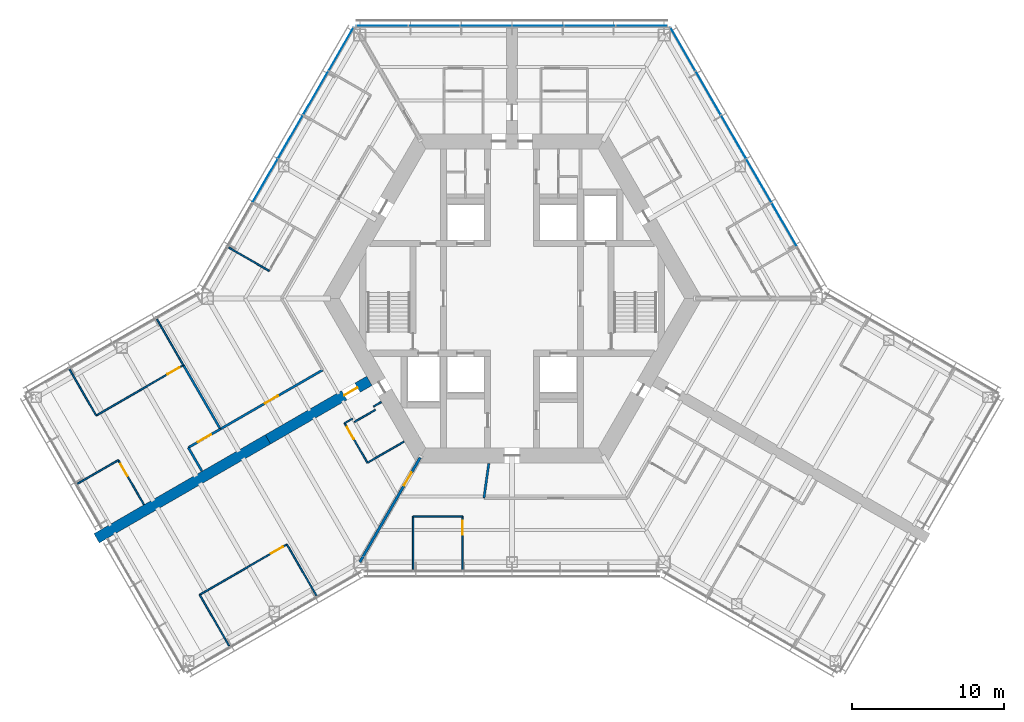
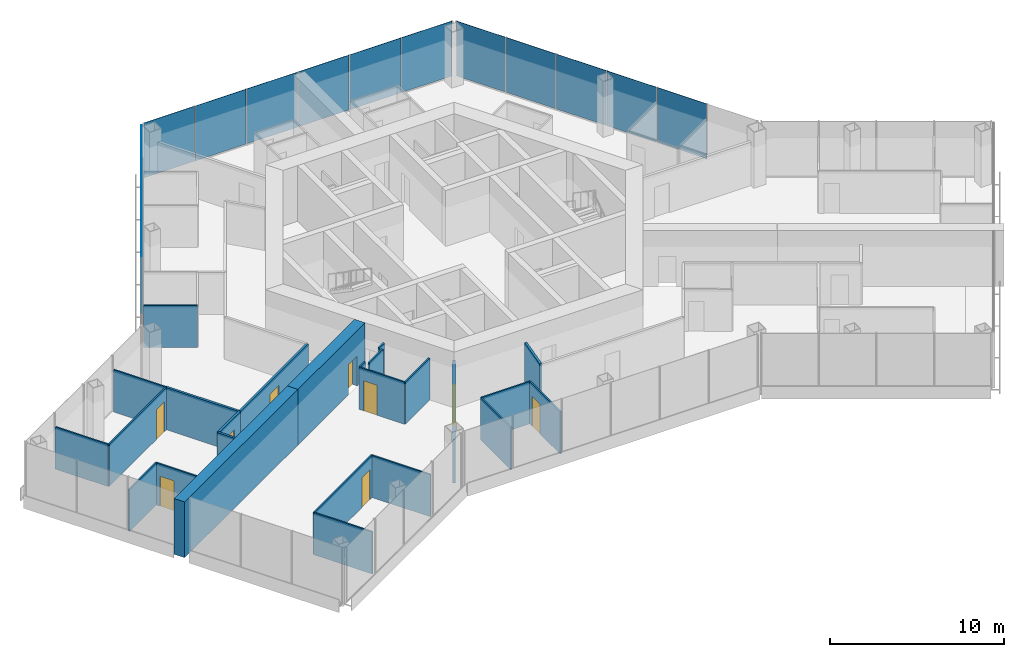
# One storey, part 11 of 18: 25 walls, 15 plates, 9 doors, 9 openings, 3 elements without a shape of their own.
"""IFC4 building model written with IfcOpenShell, lengths in metres."""

from ifc_helpers import new_model, si_unit, direction, frame, frame_2d, origin, origin_2d, place, context, subcontext, project, spatial, rectangle, extrude, material, layer, layer_set, type_object, element, fill, aggregate, save


model = new_model("IFC4")

# Units and contexts
model_context = context("Model", 3, precision=1e-05, world=origin(), true_north=direction((0.0, 1.0)))
body_context = subcontext(model_context, "Body", "Model", "MODEL_VIEW")
ifc_project = project(units=[si_unit("LENGTHUNIT", "METRE"), si_unit("AREAUNIT", "SQUARE_METRE"), si_unit("VOLUMEUNIT", "CUBIC_METRE"), si_unit("PLANEANGLEUNIT", "RADIAN"), si_unit("MASSUNIT", "GRAM", prefix="KILO")], contexts=[model_context])

# Site, building, storey
site_placement = place(None, origin())
site = spatial("IfcSite", under=ifc_project, at=site_placement, CompositionType="ELEMENT")
building_placement = place(site_placement, origin())
building = spatial("IfcBuilding", under=site, at=building_placement, Name="Kasaneha Research Tower", CompositionType="ELEMENT")
storey_placement = place(building_placement, frame((0.0, 0.0, 140.89990234375)))
storey = spatial("IfcBuildingStorey", under=building, at=storey_placement, Name="L35", CompositionType="ELEMENT", Elevation=140.89990234375)

# Curtain wall, plates
ifc_material_1 = material(Name="Glass and aluminium", Category="aluminium")
curtain_wall_type = type_object("IfcCurtainWallType", Name="Mid-rise office curtain wall", PredefinedType="USERDEFINED", material=ifc_material_1)
curtain_wall_1_placement = place(storey_placement, origin())
curtain_wall_1 = element("IfcCurtainWall", 1, at=curtain_wall_1_placement, inside=storey, type_object=curtain_wall_type, Name="CW-O2 L35 run 06a", ObjectType="UNITISED CURTAIN WALL", PredefinedType="USERDEFINED")
ifc_material_2 = material(Name="Laminated double glazing", Category="glass")
ifc_layer_1 = layer(ifc_material_2, 0.02587890625)
ifc_layer_set_1 = layer_set([ifc_layer_1], Name="CW-O2 glazed panel")
plate_type = type_object("IfcPlateType", Name="CW-O2 glazed panel", PredefinedType="CURTAIN_PANEL", material=ifc_layer_set_1)
plate_1_placement = place(storey_placement, frame((17.89111328125, 4.852783203125, 0.06005859375), z_axis=(0.0, 0.0, 1.0), x_axis=(-0.499999979232, 0.866025415775, 0.0)))
plate_1 = element("IfcPlate", 2, at=plate_1_placement, type_object=plate_type, Name="CW-O2 panel 2", PredefinedType="CURTAIN_PANEL", context=body_context, shape_type="SweptSolid", body=[
    extrude(rectangle(XDim=3.27099609375, YDim=0.02587890625, at=origin_2d()), origin(), (0.0, 0.0, 1.0), 3.840087890625),
])
plate_2_placement = place(storey_placement, frame((16.2255859375, 7.737548828125, 0.06005859375), z_axis=(0.0, 0.0, 1.0), x_axis=(-0.499999979232, 0.866025415775, 0.0)))
plate_2 = element("IfcPlate", 3, at=plate_2_placement, type_object=plate_type, Name="CW-O2 panel 3", PredefinedType="CURTAIN_PANEL", context=body_context, shape_type="SweptSolid", body=[
    extrude(rectangle(XDim=3.27099609375, YDim=0.02587890625, at=origin_2d()), origin(), (0.0, 0.0, 1.0), 3.840087890625),
])
plate_3_placement = place(storey_placement, frame((14.56005859375, 10.622314453125, 0.06005859375), z_axis=(0.0, 0.0, 1.0), x_axis=(-0.499999979232, 0.866025415775, 0.0)))
plate_3 = element("IfcPlate", 4, at=plate_3_placement, type_object=plate_type, Name="CW-O2 panel 4", PredefinedType="CURTAIN_PANEL", context=body_context, shape_type="SweptSolid", body=[
    extrude(rectangle(XDim=3.27099609375, YDim=0.02587890625, at=origin_2d()), origin(), (0.0, 0.0, 1.0), 3.840087890625),
])
plate_4_placement = place(storey_placement, frame((12.89453125, 13.5068359375, 0.06005859375), z_axis=(0.0, 0.0, 1.0), x_axis=(-0.499999979232, 0.866025415775, 0.0)))
plate_4 = element("IfcPlate", 5, at=plate_4_placement, type_object=plate_type, Name="CW-O2 panel 5", PredefinedType="CURTAIN_PANEL", context=body_context, shape_type="SweptSolid", body=[
    extrude(rectangle(XDim=3.27099609375, YDim=0.02587890625, at=origin_2d()), origin(), (0.0, 0.0, 1.0), 3.840087890625),
])
plate_5_placement = place(storey_placement, frame((11.236572265625, 16.378662109375, 0.06005859375), z_axis=(0.0, 0.0, 1.0), x_axis=(-0.499999979232, 0.866025415775, 0.0)))
plate_5 = element("IfcPlate", 6, at=plate_5_placement, type_object=plate_type, Name="CW-O2 panel 6", PredefinedType="CURTAIN_PANEL", context=body_context, shape_type="SweptSolid", body=[
    extrude(rectangle(XDim=3.240966796875, YDim=0.02587890625, at=origin_2d()), origin(), (0.0, 0.0, 1.0), 3.840087890625),
])
aggregate(curtain_wall_1, [plate_1, plate_2, plate_3, plate_4, plate_5])

curtain_wall_2_placement = place(storey_placement, origin())
curtain_wall_2 = element("IfcCurtainWall", 7, at=curtain_wall_2_placement, inside=storey, type_object=curtain_wall_type, Name="CW-O2 L35 run 07a", ObjectType="UNITISED CURTAIN WALL", PredefinedType="USERDEFINED")
plate_6_placement = place(storey_placement, frame((8.523681640625, 17.92041015625, 0.06005859375), z_axis=(0.0, 0.0, 1.0), x_axis=(-1.0, 0.0, 0.0)))
plate_6 = element("IfcPlate", 8, at=plate_6_placement, type_object=plate_type, Name="CW-O2 panel 1", PredefinedType="CURTAIN_PANEL", context=body_context, shape_type="SweptSolid", body=[
    extrude(rectangle(XDim=3.325439453125, YDim=0.02587890625, at=origin_2d()), origin(), (0.0, 0.0, 1.0), 3.840087890625),
])
plate_7_placement = place(storey_placement, frame((5.123291015625, 17.92041015625, 0.06005859375), z_axis=(0.0, 0.0, 1.0), x_axis=(-1.0, 0.0, 0.0)))
plate_7 = element("IfcPlate", 9, at=plate_7_placement, type_object=plate_type, Name="CW-O2 panel 2", PredefinedType="CURTAIN_PANEL", context=body_context, shape_type="SweptSolid", body=[
    extrude(rectangle(XDim=3.35546875, YDim=0.02587890625, at=origin_2d()), origin(), (0.0, 0.0, 1.0), 3.840087890625),
])
plate_8_placement = place(storey_placement, frame((1.707763671875, 17.92041015625, 0.06005859375), z_axis=(0.0, 0.0, 1.0), x_axis=(-1.0, 0.0, 0.0)))
plate_8 = element("IfcPlate", 10, at=plate_8_placement, type_object=plate_type, Name="CW-O2 panel 3", PredefinedType="CURTAIN_PANEL", context=body_context, shape_type="SweptSolid", body=[
    extrude(rectangle(XDim=3.35546875, YDim=0.02587890625, at=origin_2d()), origin(), (0.0, 0.0, 1.0), 3.840087890625),
])
plate_9_placement = place(storey_placement, frame((-1.707763671875, 17.92041015625, 0.06005859375), z_axis=(0.0, 0.0, 1.0), x_axis=(-1.0, 0.0, 0.0)))
plate_9 = element("IfcPlate", 11, at=plate_9_placement, type_object=plate_type, Name="CW-O2 panel 4", PredefinedType="CURTAIN_PANEL", context=body_context, shape_type="SweptSolid", body=[
    extrude(rectangle(XDim=3.35546875, YDim=0.02587890625, at=origin_2d()), origin(), (0.0, 0.0, 1.0), 3.840087890625),
])
plate_10_placement = place(storey_placement, frame((-5.123291015625, 17.92041015625, 0.06005859375), z_axis=(0.0, 0.0, 1.0), x_axis=(-1.0, 0.0, 0.0)))
plate_10 = element("IfcPlate", 12, at=plate_10_placement, type_object=plate_type, Name="CW-O2 panel 5", PredefinedType="CURTAIN_PANEL", context=body_context, shape_type="SweptSolid", body=[
    extrude(rectangle(XDim=3.35546875, YDim=0.02587890625, at=origin_2d()), origin(), (0.0, 0.0, 1.0), 3.840087890625),
])
plate_11_placement = place(storey_placement, frame((-8.523681640625, 17.92041015625, 0.06005859375), z_axis=(0.0, 0.0, 1.0), x_axis=(-1.0, 0.0, 0.0)))
plate_11 = element("IfcPlate", 13, at=plate_11_placement, type_object=plate_type, Name="CW-O2 panel 6", PredefinedType="CURTAIN_PANEL", context=body_context, shape_type="SweptSolid", body=[
    extrude(rectangle(XDim=3.325439453125, YDim=0.02587890625, at=origin_2d()), origin(), (0.0, 0.0, 1.0), 3.840087890625),
])
aggregate(curtain_wall_2, [plate_6, plate_7, plate_8, plate_9, plate_10, plate_11])

curtain_wall_3_placement = place(storey_placement, origin())
curtain_wall_3 = element("IfcCurtainWall", 14, at=curtain_wall_3_placement, inside=storey, type_object=curtain_wall_type, Name="CW-O2 L35 run 08a", ObjectType="UNITISED CURTAIN WALL", PredefinedType="USERDEFINED")
plate_12_placement = place(storey_placement, frame((-11.236572265625, 16.378662109375, 0.06005859375), z_axis=(0.0, 0.0, 1.0), x_axis=(-0.499999979232, -0.866025415775, 0.0)))
plate_12 = element("IfcPlate", 15, at=plate_12_placement, type_object=plate_type, Name="CW-O2 panel 1", PredefinedType="CURTAIN_PANEL", context=body_context, shape_type="SweptSolid", body=[
    extrude(rectangle(XDim=3.240966796875, YDim=0.02587890625, at=origin_2d()), origin(), (0.0, 0.0, 1.0), 3.840087890625),
])
plate_13_placement = place(storey_placement, frame((-12.89453125, 13.5068359375, 0.06005859375), z_axis=(0.0, 0.0, 1.0), x_axis=(-0.499999979232, -0.866025415775, 0.0)))
plate_13 = element("IfcPlate", 16, at=plate_13_placement, type_object=plate_type, Name="CW-O2 panel 2", PredefinedType="CURTAIN_PANEL", context=body_context, shape_type="SweptSolid", body=[
    extrude(rectangle(XDim=3.27099609375, YDim=0.02587890625, at=origin_2d()), origin(), (0.0, 0.0, 1.0), 3.840087890625),
])
plate_14_placement = place(storey_placement, frame((-14.56005859375, 10.622314453125, 0.06005859375), z_axis=(0.0, 0.0, 1.0), x_axis=(-0.499999979232, -0.866025415775, 0.0)))
plate_14 = element("IfcPlate", 17, at=plate_14_placement, type_object=plate_type, Name="CW-O2 panel 3", PredefinedType="CURTAIN_PANEL", context=body_context, shape_type="SweptSolid", body=[
    extrude(rectangle(XDim=3.27099609375, YDim=0.02587890625, at=origin_2d()), origin(), (0.0, 0.0, 1.0), 3.840087890625),
])
plate_15_placement = place(storey_placement, frame((-16.2255859375, 7.737548828125, 0.06005859375), z_axis=(0.0, 0.0, 1.0), x_axis=(-0.499999979232, -0.866025415775, 0.0)))
plate_15 = element("IfcPlate", 18, at=plate_15_placement, type_object=plate_type, Name="CW-O2 panel 4", PredefinedType="CURTAIN_PANEL", context=body_context, shape_type="SweptSolid", body=[
    extrude(rectangle(XDim=3.27099609375, YDim=0.02587890625, at=origin_2d()), origin(), (0.0, 0.0, 1.0), 3.840087890625),
])
aggregate(curtain_wall_3, [plate_12, plate_13, plate_14, plate_15])

# Walls
ifc_material_3 = material(Name="Gypsum board on steel studs, one layer each side", Category="steel")
ifc_layer_2 = layer(ifc_material_3, 0.10009765625)
ifc_layer_set_2 = layer_set([ifc_layer_2], Name="Office partition 100")
wall_type_1 = type_object("IfcWallType", Name="Office partition 100", PredefinedType="PARTITIONING", material=ifc_layer_set_2)
wall_1_placement = place(storey_placement, frame((-23.332275390625, -1.36962890625, 0.0), z_axis=(0.0, 0.0, 1.0), x_axis=(0.498863855434, -0.86668036423, 0.0)))
element("IfcWall", 19, at=wall_1_placement, inside=storey, type_object=wall_type_1, Name="Office partition FBN08 L35", PredefinedType="PARTITIONING", context=body_context, shape_type="SweptSolid", body=[
    extrude(rectangle(XDim=3.47998046875, YDim=0.10009765625, at=frame_2d((1.739990234375, 0.0))), origin(), (0.0, 0.0, 1.0), 2.9501953125),
])
wall_2_placement = place(storey_placement, frame((-27.324951171875, -7.693115234375, 0.0), z_axis=(0.0, 0.0, 1.0), x_axis=(-0.499989765943, 0.866031312339, 0.0)))
element("IfcWall", 20, at=wall_2_placement, inside=storey, type_object=wall_type_1, Name="Office partition FBN09 L35", PredefinedType="PARTITIONING", context=body_context, shape_type="SweptSolid", body=[
    extrude(rectangle(XDim=3.5048828125, YDim=0.10009765625, at=frame_2d((1.75244140625, 0.0))), origin(), (0.0, 0.0, 1.0), 2.9501953125),
])

# Wall, opening, door
wall_3_placement = place(storey_placement, frame((-21.594482421875, -4.37939453125, 0.0), z_axis=(0.0, 0.0, 1.0), x_axis=(-0.865682888643, -0.500592784916, 0.0)))
wall_3 = element("IfcWall", 21, at=wall_3_placement, inside=storey, type_object=wall_type_1, Name="Office partition FBN10 L35", PredefinedType="PARTITIONING", context=body_context, shape_type="SweptSolid", body=[
    extrude(rectangle(XDim=6.61962890625, YDim=0.10009765625, at=frame_2d((3.309814453125, 0.0))), origin(), (0.0, 0.0, 1.0), 2.9501953125),
])
opening_1_placement = place(wall_3_placement, frame((0.300048828125, 0.0, 0.0)))
opening_1 = element("IfcOpeningElement", 22, at=opening_1_placement, cuts=wall_3, Name="Opening L35-D37", PredefinedType="OPENING", context=body_context, shape_type="SweptSolid", body=[
    extrude(rectangle(XDim=0.89990234375, YDim=2.10009765625, at=frame_2d((0.449951171875, 1.050048828125))), frame((0.0, 0.06005859375, 0.0), z_axis=(0.0, -1.0, 0.0), x_axis=(1.0, 0.0, 0.0)), (0.0, 0.0, 1.0), 0.1201171875),
])
ifc_material_4 = material(Name="Timber veneer", Category="wood")
door_type_1 = type_object("IfcDoorType", Name="Office door 900x2100", OperationType="SINGLE_SWING_LEFT", PredefinedType="DOOR", material=ifc_material_4)
door_1_placement = place(opening_1_placement, origin())
door_1 = element("IfcDoor", 23, at=door_1_placement, inside=storey, type_object=door_type_1, Name="Project room door L35-D37", OperationType="SINGLE_SWING_LEFT", OverallHeight=2.10009765625, OverallWidth=0.89990234375, PredefinedType="DOOR", context=body_context, shape_type="SweptSolid", body=[
    extrude(rectangle(XDim=0.89990234375, YDim=2.10009765625, at=frame_2d((0.449951171875, 1.050048828125))), frame((0.0, 0.02490234375, 0.0), z_axis=(0.0, -1.0, 0.0), x_axis=(1.0, 0.0, 0.0)), (0.0, 0.0, 1.0), 0.050048828125),
])
fill(opening_1, door_1)

# Walls
wall_4_placement = place(storey_placement, frame((-15.952392578125, 1.810546875, 0.0), z_axis=(0.0, 0.0, 1.0), x_axis=(-0.866029832698, 0.499992328818, 0.0)))
element("IfcWall", 24, at=wall_4_placement, inside=storey, type_object=wall_type_1, Name="Office partition FBN14 L35", PredefinedType="PARTITIONING", context=body_context, shape_type="SweptSolid", body=[
    extrude(rectangle(XDim=3.080078125, YDim=0.10009765625, at=frame_2d((1.5400390625, 0.0))), origin(), (0.0, 0.0, 1.0), 2.9501953125),
])
wall_5_placement = place(storey_placement, frame((-28.5625, -12.1796875, 0.0), z_axis=(0.0, 0.0, 1.0), x_axis=(0.866042875753, 0.499969736442, 0.0)))
element("IfcWall", 25, at=wall_5_placement, inside=storey, type_object=wall_type_1, Name="Office partition FBN17 L35", PredefinedType="PARTITIONING", context=body_context, shape_type="SweptSolid", body=[
    extrude(rectangle(XDim=3.105224609375, YDim=0.10009765625, at=frame_2d((1.552734375, 0.0))), origin(), (0.0, 0.0, 1.0), 2.9501953125),
])

# Wall, opening, door
wall_6_placement = place(storey_placement, frame((-25.873291015625, -10.627197265625, 0.0), z_axis=(0.0, 0.0, 1.0), x_axis=(0.5000115033, -0.866018762249, 0.0)))
wall_6 = element("IfcWall", 26, at=wall_6_placement, inside=storey, type_object=wall_type_1, Name="Office partition FBN18 L35", PredefinedType="PARTITIONING", context=body_context, shape_type="SweptSolid", body=[
    extrude(rectangle(XDim=3.36328125, YDim=0.10009765625, at=frame_2d((1.681640625, 0.0))), origin(), (0.0, 0.0, 1.0), 2.9501953125),
])
opening_2_placement = place(wall_6_placement, frame((0.300048828125, 0.0, 0.0)))
opening_2 = element("IfcOpeningElement", 27, at=opening_2_placement, cuts=wall_6, Name="Opening L35-D40", PredefinedType="OPENING", context=body_context, shape_type="SweptSolid", body=[
    extrude(rectangle(XDim=0.89990234375, YDim=2.10009765625, at=frame_2d((0.449951171875, 1.050048828125))), frame((0.0, 0.06005859375, 0.0), z_axis=(0.0, -1.0, 0.0), x_axis=(1.0, 0.0, 0.0)), (0.0, 0.0, 1.0), 0.1201171875),
])
door_2_placement = place(opening_2_placement, origin())
door_2 = element("IfcDoor", 28, at=door_2_placement, inside=storey, type_object=door_type_1, Name="Phone room door L35-D40", OperationType="SINGLE_SWING_LEFT", OverallHeight=2.10009765625, OverallWidth=0.89990234375, PredefinedType="DOOR", context=body_context, shape_type="SweptSolid", body=[
    extrude(rectangle(XDim=0.89990234375, YDim=2.10009765625, at=frame_2d((0.449951171875, 1.050048828125))), frame((0.0, 0.02490234375, 0.0), z_axis=(0.0, -1.0, 0.0), x_axis=(1.0, 0.0, 0.0)), (0.0, 0.0, 1.0), 0.050048828125),
])
fill(opening_2, door_2)

wall_7_placement = place(storey_placement, frame((-20.52490234375, -19.47119140625, 0.0), z_axis=(0.0, 0.0, 1.0), x_axis=(0.866021597574, 0.500006592492, 0.0)))
wall_7 = element("IfcWall", 29, at=wall_7_placement, inside=storey, type_object=wall_type_1, Name="Office partition FBS01 L35", PredefinedType="PARTITIONING", context=body_context, shape_type="SweptSolid", body=[
    extrude(rectangle(XDim=6.61962890625, YDim=0.10009765625, at=frame_2d((3.309814453125, 0.0))), origin(), (0.0, 0.0, 1.0), 2.9501953125),
])
opening_3_placement = place(wall_7_placement, frame((5.419677734375, 0.0, 0.0)))
opening_3 = element("IfcOpeningElement", 30, at=opening_3_placement, cuts=wall_7, Name="Opening L35-D41", PredefinedType="OPENING", context=body_context, shape_type="SweptSolid", body=[
    extrude(rectangle(XDim=0.89990234375, YDim=2.10009765625, at=frame_2d((0.449951171875, 1.050048828125))), frame((0.0, 0.06005859375, 0.0), z_axis=(0.0, -1.0, 0.0), x_axis=(1.0, 0.0, 0.0)), (0.0, 0.0, 1.0), 0.1201171875),
])
door_3_placement = place(opening_3_placement, origin())
door_3 = element("IfcDoor", 31, at=door_3_placement, inside=storey, type_object=door_type_1, Name="Project room door L35-D41", OperationType="SINGLE_SWING_RIGHT", OverallHeight=2.10009765625, OverallWidth=0.89990234375, PredefinedType="DOOR", context=body_context, shape_type="SweptSolid", body=[
    extrude(rectangle(XDim=0.89990234375, YDim=2.10009765625, at=frame_2d((0.449951171875, 1.050048828125))), frame((0.0, 0.02490234375, 0.0), z_axis=(0.0, -1.0, 0.0), x_axis=(1.0, 0.0, 0.0)), (0.0, 0.0, 1.0), 0.050048828125),
])
fill(opening_3, door_3)

# Walls
wall_8_placement = place(storey_placement, frame((-18.5849609375, -22.831298828125, 0.0), z_axis=(0.0, 0.0, 1.0), x_axis=(-0.499996613652, 0.866027358884, 0.0)))
element("IfcWall", 32, at=wall_8_placement, inside=storey, type_object=wall_type_1, Name="Office partition FBS02 L35", PredefinedType="PARTITIONING", context=body_context, shape_type="SweptSolid", body=[
    extrude(rectangle(XDim=3.8798828125, YDim=0.10009765625, at=frame_2d((1.93994140625, 0.0))), origin(), (0.0, 0.0, 1.0), 2.9501953125),
])
wall_9_placement = place(storey_placement, frame((-14.792236328125, -16.161376953125, 0.0), z_axis=(0.0, 0.0, 1.0), x_axis=(0.500025510799, -0.866010674617, 0.0)))
element("IfcWall", 33, at=wall_9_placement, inside=storey, type_object=wall_type_1, Name="Office partition FBS03 L35", PredefinedType="PARTITIONING", context=body_context, shape_type="SweptSolid", body=[
    extrude(rectangle(XDim=3.905029296875, YDim=0.10009765625, at=frame_2d((1.95263671875, 0.0))), origin(), (0.0, 0.0, 1.0), 2.9501953125),
])
wall_10_placement = place(storey_placement, frame((-10.99951171875, -8.197998046875, 0.0), z_axis=(0.0, 0.0, 1.0), x_axis=(0.866131372301, 0.499816412211, 0.0)))
element("IfcWall", 34, at=wall_10_placement, inside=storey, type_object=wall_type_1, Name="Office partition FBS04 L35", PredefinedType="PARTITIONING", context=body_context, shape_type="SweptSolid", body=[
    extrude(rectangle(XDim=0.599853515625, YDim=0.10009765625, at=frame_2d((0.2998046875, 0.0))), origin(), (0.0, 0.0, 1.0), 2.9501953125),
])
wall_11_placement = place(storey_placement, frame((-10.35498046875, -8.114501953125, 0.0), z_axis=(0.0, 0.0, 1.0), x_axis=(0.866094119867, 0.499880961361, 0.0)))
element("IfcWall", 35, at=wall_11_placement, inside=storey, type_object=wall_type_1, Name="Office partition FBS05 L35", PredefinedType="PARTITIONING", context=body_context, shape_type="SweptSolid", body=[
    extrude(rectangle(XDim=1.60009765625, YDim=0.10009765625, at=frame_2d((0.800048828125, 0.0))), origin(), (0.0, 0.0, 1.0), 2.9501953125),
])

# Wall, opening, door
wall_12_placement = place(storey_placement, frame((-9.49951171875, -10.796142578125, 0.0), z_axis=(0.0, 0.0, 1.0), x_axis=(-0.499990139034, 0.866031096941, 0.0)))
wall_12 = element("IfcWall", 36, at=wall_12_placement, inside=storey, type_object=wall_type_1, Name="Office partition FBS06 L35", PredefinedType="PARTITIONING", context=body_context, shape_type="SweptSolid", body=[
    extrude(rectangle(XDim=3.0, YDim=0.10009765625, at=frame_2d((1.5, 0.0))), origin(), (0.0, 0.0, 1.0), 2.9501953125),
])
opening_4_placement = place(wall_12_placement, frame((1.800048828125, 0.0, 0.0)))
opening_4 = element("IfcOpeningElement", 37, at=opening_4_placement, cuts=wall_12, Name="Opening L35-D42", PredefinedType="OPENING", context=body_context, shape_type="SweptSolid", body=[
    extrude(rectangle(XDim=0.89990234375, YDim=2.10009765625, at=frame_2d((0.449951171875, 1.050048828125))), frame((0.0, 0.06005859375, 0.0), z_axis=(0.0, -1.0, 0.0), x_axis=(1.0, 0.0, 0.0)), (0.0, 0.0, 1.0), 0.1201171875),
])
door_4_placement = place(opening_4_placement, origin())
door_4 = element("IfcDoor", 38, at=door_4_placement, inside=storey, type_object=door_type_1, Name="Pantry door L35-D42", OperationType="SINGLE_SWING_RIGHT", OverallHeight=2.10009765625, OverallWidth=0.89990234375, PredefinedType="DOOR", context=body_context, shape_type="SweptSolid", body=[
    extrude(rectangle(XDim=0.89990234375, YDim=2.10009765625, at=frame_2d((0.449951171875, 1.050048828125))), frame((0.0, 0.02490234375, 0.0), z_axis=(0.0, -1.0, 0.0), x_axis=(1.0, 0.0, 0.0)), (0.0, 0.0, 1.0), 0.050048828125),
])
fill(opening_4, door_4)

# Walls
wall_13_placement = place(storey_placement, frame((-9.09423828125, -7.09814453125, 0.0), z_axis=(0.0, 0.0, 1.0), x_axis=(0.865954211699, 0.50012328804, 0.0)))
element("IfcWall", 39, at=wall_13_placement, inside=storey, type_object=wall_type_1, Name="Office partition FBS07 L35", PredefinedType="PARTITIONING", context=body_context, shape_type="SweptSolid", body=[
    extrude(rectangle(XDim=0.579833984375, YDim=0.10009765625, at=frame_2d((0.2900390625, 0.0))), origin(), (0.0, 0.0, 1.0), 2.9501953125),
])
wall_14_placement = place(storey_placement, frame((-7.092041015625, -9.40625, 0.0), z_axis=(0.0, 0.0, 1.0), x_axis=(-0.86603494908, -0.499983466698, 0.0)))
element("IfcWall", 40, at=wall_14_placement, inside=storey, type_object=wall_type_1, Name="Office partition FBS08 L35", PredefinedType="PARTITIONING", context=body_context, shape_type="SweptSolid", body=[
    extrude(rectangle(XDim=2.77978515625, YDim=0.10009765625, at=frame_2d((1.389892578125, 0.0))), origin(), (0.0, 0.0, 1.0), 2.9501953125),
])
wall_15_placement = place(storey_placement, frame((-6.492919921875, -17.800537109375, 0.0), z_axis=(0.0, 0.0, 1.0), x_axis=(0.0, 1.0, 0.0)))
element("IfcWall", 41, at=wall_15_placement, inside=storey, type_object=wall_type_1, Name="Office partition FCS11 L35", PredefinedType="PARTITIONING", context=body_context, shape_type="SweptSolid", body=[
    extrude(rectangle(XDim=3.47998046875, YDim=0.10009765625, at=frame_2d((1.739990234375, 0.0))), origin(), (0.0, 0.0, 1.0), 2.9501953125),
])
wall_16_placement = place(storey_placement, frame((-6.492919921875, -14.320556640625, 0.0), z_axis=(0.0, 0.0, 1.0), x_axis=(1.0, 0.0, 0.0)))
element("IfcWall", 42, at=wall_16_placement, inside=storey, type_object=wall_type_1, Name="Office partition FCS12 L35", PredefinedType="PARTITIONING", context=body_context, shape_type="SweptSolid", body=[
    extrude(rectangle(XDim=3.24658203125, YDim=0.10009765625, at=frame_2d((1.623291015625, 0.0))), origin(), (0.0, 0.0, 1.0), 2.9501953125),
])

# Wall, opening, door
wall_17_placement = place(storey_placement, frame((-3.246337890625, -14.320556640625, 0.0), z_axis=(0.0, 0.0, 1.0), x_axis=(0.0, -1.0, 0.0)))
wall_17 = element("IfcWall", 43, at=wall_17_placement, inside=storey, type_object=wall_type_1, Name="Office partition FCS13 L35", PredefinedType="PARTITIONING", context=body_context, shape_type="SweptSolid", body=[
    extrude(rectangle(XDim=3.530029296875, YDim=0.10009765625, at=frame_2d((1.76513671875, 0.0))), origin(), (0.0, 0.0, 1.0), 2.9501953125),
])
opening_5_placement = place(wall_17_placement, frame((0.300048828125, 0.0, 0.0)))
opening_5 = element("IfcOpeningElement", 44, at=opening_5_placement, cuts=wall_17, Name="Opening L35-D48", PredefinedType="OPENING", context=body_context, shape_type="SweptSolid", body=[
    extrude(rectangle(XDim=0.89990234375, YDim=2.10009765625, at=frame_2d((0.449951171875, 1.050048828125))), frame((0.0, 0.06005859375, 0.0), z_axis=(0.0, -1.0, 0.0), x_axis=(1.0, 0.0, 0.0)), (0.0, 0.0, 1.0), 0.1201171875),
])
door_5_placement = place(opening_5_placement, origin())
door_5 = element("IfcDoor", 45, at=door_5_placement, inside=storey, type_object=door_type_1, Name="Manager's office door L35-D48", OperationType="SINGLE_SWING_LEFT", OverallHeight=2.10009765625, OverallWidth=0.89990234375, PredefinedType="DOOR", context=body_context, shape_type="SweptSolid", body=[
    extrude(rectangle(XDim=0.89990234375, YDim=2.10009765625, at=frame_2d((0.449951171875, 1.050048828125))), frame((0.0, 0.02490234375, 0.0), z_axis=(0.0, -1.0, 0.0), x_axis=(1.0, 0.0, 0.0)), (0.0, 0.0, 1.0), 0.050048828125),
])
fill(opening_5, door_5)

ifc_material_5 = material(Name="Concrete Fc70", Category="concrete")
ifc_layer_3 = layer(ifc_material_5, 0.699951171875)
ifc_layer_set_3 = layer_set([ifc_layer_3], Name="Spine wall 700 Fc70")
wall_type_2 = type_object("IfcWallType", Name="Spine wall 700 Fc70", PredefinedType="SHEAR", material=ifc_layer_set_3)
wall_18_placement = place(storey_placement, frame((-9.374755859375, -5.41259765625, 0.0), z_axis=(0.0, 0.0, 1.0), x_axis=(-0.866032377459, -0.499987921047, 0.0)))
wall_18 = element("IfcWall", 46, at=wall_18_placement, inside=storey, type_object=wall_type_2, Name="Spine wall B L35", PredefinedType="SHEAR", context=body_context, shape_type="SweptSolid", body=[
    extrude(rectangle(XDim=7.695556640625, YDim=0.699951171875, at=frame_2d((3.84765625, 0.0))), origin(), (0.0, 0.0, 1.0), 3.900146484375),
])
opening_6_placement = place(wall_18_placement, frame((0.89990234375, 0.0, 0.0)))
opening_6 = element("IfcOpeningElement", 47, at=opening_6_placement, cuts=wall_18, Name="Opening L35-D18", PredefinedType="OPENING", context=body_context, shape_type="SweptSolid", body=[
    extrude(rectangle(XDim=1.0, YDim=2.10009765625, at=frame_2d((0.5, 1.050048828125))), frame((0.0, 0.35986328125, 0.0), z_axis=(0.0, -1.0, 0.0), x_axis=(1.0, 0.0, 0.0)), (0.0, 0.0, 1.0), 0.719970703125),
])
ifc_material_6 = material(Name="Steel", Category="steel")
door_type_2 = type_object("IfcDoorType", Name="Specified fire door FD60 1000x2100", OperationType="NOTDEFINED", PredefinedType="DOOR", material=ifc_material_6)
door_6_placement = place(opening_6_placement, origin())
door_6 = element("IfcDoor", 48, at=door_6_placement, inside=storey, type_object=door_type_2, Name="Spine doorway B L35-D18", OperationType="SINGLE_SWING_LEFT", OverallHeight=2.10009765625, OverallWidth=1.0, PredefinedType="DOOR", context=body_context, shape_type="SweptSolid", body=[
    extrude(rectangle(XDim=1.0, YDim=2.10009765625, at=frame_2d((0.5, 1.050048828125))), frame((0.0, 0.02490234375, 0.0), z_axis=(0.0, -1.0, 0.0), x_axis=(1.0, 0.0, 0.0)), (0.0, 0.0, 1.0), 0.050048828125),
])
fill(opening_6, door_6)

# Wall
wall_19_placement = place(storey_placement, frame((-16.039306640625, -9.26025390625, 0.0), z_axis=(0.0, 0.0, 1.0), x_axis=(-0.866024837091, -0.50000098154, 0.0)))
element("IfcWall", 49, at=wall_19_placement, inside=storey, type_object=wall_type_2, Name="Spine wall B wing L35", PredefinedType="SHEAR", context=body_context, shape_type="SweptSolid", body=[
    extrude(rectangle(XDim=13.0, YDim=0.699951171875, at=frame_2d((6.5, 0.0))), origin(), (0.0, 0.0, 1.0), 3.900146484375),
])

# Wall, opening, door
ifc_material_7 = material(Name="Gypsum board on steel studs, two layers each side", Category="steel")
ifc_layer_4 = layer(ifc_material_7, 0.14990234375)
ifc_layer_set_4 = layer_set([ifc_layer_4], Name="Suite partition 150")
wall_type_3 = type_object("IfcWallType", Name="Suite partition 150", PredefinedType="PARTITIONING", material=ifc_layer_set_4)
wall_20_placement = place(storey_placement, frame((-19.17138671875, -8.586181640625, 0.0), z_axis=(0.0, 0.0, 1.0), x_axis=(0.866007176269, 0.500031569654, 0.0)))
wall_20 = element("IfcWall", 50, at=wall_20_placement, inside=storey, type_object=wall_type_3, Name="Suite partition FBN01 L35", PredefinedType="PARTITIONING", context=body_context, shape_type="SweptSolid", body=[
    extrude(rectangle(XDim=7.77099609375, YDim=0.14990234375, at=frame_2d((3.885498046875, 0.0))), origin(), (0.0, 0.0, 1.0), 2.9501953125),
])
opening_7_placement = place(wall_20_placement, frame((3.385498046875, 0.0, 0.0)))
opening_7 = element("IfcOpeningElement", 51, at=opening_7_placement, cuts=wall_20, Name="Opening L35-D34", PredefinedType="OPENING", context=body_context, shape_type="SweptSolid", body=[
    extrude(rectangle(XDim=1.0, YDim=2.10009765625, at=frame_2d((0.5, 1.050048828125))), frame((0.0, 0.0849609375, 0.0), z_axis=(0.0, -1.0, 0.0), x_axis=(1.0, 0.0, 0.0)), (0.0, 0.0, 1.0), 0.169921875),
])
ifc_material_8 = material(Name="Steel", Category="steel")
door_type_3 = type_object("IfcDoorType", Name="Suite entrance door FD60 1000x2100", OperationType="NOTDEFINED", PredefinedType="DOOR", material=ifc_material_8)
door_7_placement = place(opening_7_placement, origin())
door_7 = element("IfcDoor", 52, at=door_7_placement, inside=storey, type_object=door_type_3, Name="Suite entrance door L35-D34", OperationType="SINGLE_SWING_LEFT", OverallHeight=2.10009765625, OverallWidth=1.0, PredefinedType="DOOR", context=body_context, shape_type="SweptSolid", body=[
    extrude(rectangle(XDim=1.0, YDim=2.10009765625, at=frame_2d((0.5, 1.050048828125))), frame((0.0, 0.02490234375, 0.0), z_axis=(0.0, -1.0, 0.0), x_axis=(1.0, 0.0, 0.0)), (0.0, 0.0, 1.0), 0.050048828125),
])
fill(opening_7, door_7)

wall_21_placement = place(storey_placement, frame((-21.271240234375, -9.79833984375, 0.0), z_axis=(0.0, 0.0, 1.0), x_axis=(0.866025270247, 0.500000231294, 0.0)))
wall_21 = element("IfcWall", 53, at=wall_21_placement, inside=storey, type_object=wall_type_3, Name="Suite partition FBN04 L35", PredefinedType="PARTITIONING", context=body_context, shape_type="SweptSolid", body=[
    extrude(rectangle(XDim=2.4345703125, YDim=0.14990234375, at=frame_2d((1.21728515625, 0.0))), origin(), (0.0, 0.0, 1.0), 2.9501953125),
])
opening_8_placement = place(wall_21_placement, frame((0.71728515625, 0.0, 0.0)))
opening_8 = element("IfcOpeningElement", 54, at=opening_8_placement, cuts=wall_21, Name="Opening L35-D35", PredefinedType="OPENING", context=body_context, shape_type="SweptSolid", body=[
    extrude(rectangle(XDim=1.0, YDim=2.10009765625, at=frame_2d((0.5, 1.050048828125))), frame((0.0, 0.0849609375, 0.0), z_axis=(0.0, -1.0, 0.0), x_axis=(1.0, 0.0, 0.0)), (0.0, 0.0, 1.0), 0.169921875),
])
door_8_placement = place(opening_8_placement, origin())
door_8 = element("IfcDoor", 55, at=door_8_placement, inside=storey, type_object=door_type_3, Name="Suite entrance door L35-D35", OperationType="SINGLE_SWING_LEFT", OverallHeight=2.10009765625, OverallWidth=1.0, PredefinedType="DOOR", context=body_context, shape_type="SweptSolid", body=[
    extrude(rectangle(XDim=1.0, YDim=2.10009765625, at=frame_2d((0.5, 1.050048828125))), frame((0.0, 0.02490234375, 0.0), z_axis=(0.0, -1.0, 0.0), x_axis=(1.0, 0.0, 0.0)), (0.0, 0.0, 1.0), 0.050048828125),
])
fill(opening_8, door_8)

# Walls
wall_22_placement = place(storey_placement, frame((-20.381103515625, -11.33984375, 0.0), z_axis=(0.0, 0.0, 1.0), x_axis=(-0.500062787734, 0.865989150234, 0.0)))
element("IfcWall", 56, at=wall_22_placement, inside=storey, type_object=wall_type_3, Name="Suite partition FBN05 L35", PredefinedType="PARTITIONING", context=body_context, shape_type="SweptSolid", body=[
    extrude(rectangle(XDim=1.780029296875, YDim=0.14990234375, at=frame_2d((0.89013671875, 0.0))), origin(), (0.0, 0.0, 1.0), 2.9501953125),
])
wall_23_placement = place(storey_placement, frame((-19.1630859375, -8.580810546875, 0.0), z_axis=(0.0, 0.0, 1.0), x_axis=(-0.500843945189, 0.865537603209, 0.0)))
element("IfcWall", 57, at=wall_23_placement, inside=storey, type_object=wall_type_3, Name="Suite partition FBN19 L35", PredefinedType="PARTITIONING", context=body_context, shape_type="SweptSolid", body=[
    extrude(rectangle(XDim=4.85400390625, YDim=0.14990234375, at=frame_2d((2.427001953125, 0.0))), origin(), (0.0, 0.0, 1.0), 2.9501953125),
])
wall_24_placement = place(storey_placement, frame((-1.844482421875, -13.125, 0.0), z_axis=(0.0, 0.0, 1.0), x_axis=(0.139119980631, 0.990275532864, 0.0)))
element("IfcWall", 58, at=wall_24_placement, inside=storey, type_object=wall_type_3, Name="Suite partition FCS03 L35", PredefinedType="PARTITIONING", context=body_context, shape_type="SweptSolid", body=[
    extrude(rectangle(XDim=2.302490234375, YDim=0.14990234375, at=frame_2d((1.1513671875, 0.0))), origin(), (0.0, 0.0, 1.0), 2.9501953125),
])

# Wall, opening, door
ifc_material_9 = material(Name="Gypsum board on steel studs, two layers each side", Category="steel")
ifc_layer_5 = layer(ifc_material_9, 0.175048828125)
ifc_layer_set_5 = layer_set([ifc_layer_5], Name="Tenancy fire partition 175")
wall_type_4 = type_object("IfcWallType", Name="Tenancy fire partition 175", PredefinedType="PARTITIONING", material=ifc_layer_set_5)
wall_25_placement = place(storey_placement, frame((-6.034912109375, -10.45263671875, 0.0), z_axis=(0.0, 0.0, 1.0), x_axis=(-0.499989830942, -0.866031274813, 0.0)))
wall_25 = element("IfcWall", 59, at=wall_25_placement, inside=storey, type_object=wall_type_4, Name="Tenancy fire partition T240 L35", PredefinedType="PARTITIONING", context=body_context, shape_type="SweptSolid", body=[
    extrude(rectangle(XDim=7.930419921875, YDim=0.175048828125, at=frame_2d((3.96533203125, 0.0))), origin(), (0.0, 0.0, 1.0), 3.050048828125),
])
opening_9_placement = place(wall_25_placement, frame((1.1298828125, 0.0, 0.0)))
opening_9 = element("IfcOpeningElement", 60, at=opening_9_placement, cuts=wall_25, Name="Opening L35-D26", PredefinedType="OPENING", context=body_context, shape_type="SweptSolid", body=[
    extrude(rectangle(XDim=1.0, YDim=2.10009765625, at=frame_2d((0.5, 1.050048828125))), frame((0.0, 0.09765625, 0.0), z_axis=(0.0, -1.0, 0.0), x_axis=(1.0, 0.0, 0.0)), (0.0, 0.0, 1.0), 0.195068359375),
])
door_9_placement = place(opening_9_placement, origin())
door_9 = element("IfcDoor", 61, at=door_9_placement, inside=storey, type_object=door_type_3, Name="Connecting door L35-D26", OperationType="SINGLE_SWING_LEFT", OverallHeight=2.10009765625, OverallWidth=1.0, PredefinedType="DOOR", context=body_context, shape_type="SweptSolid", body=[
    extrude(rectangle(XDim=1.0, YDim=2.10009765625, at=frame_2d((0.5, 1.050048828125))), frame((0.0, 0.02490234375, 0.0), z_axis=(0.0, -1.0, 0.0), x_axis=(1.0, 0.0, 0.0)), (0.0, 0.0, 1.0), 0.050048828125),
])
fill(opening_9, door_9)

save(model, "model.ifc")
